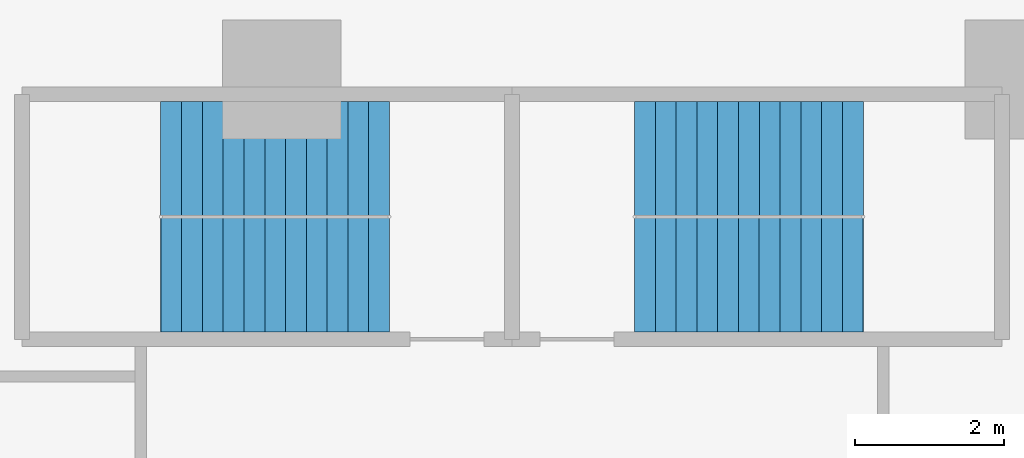
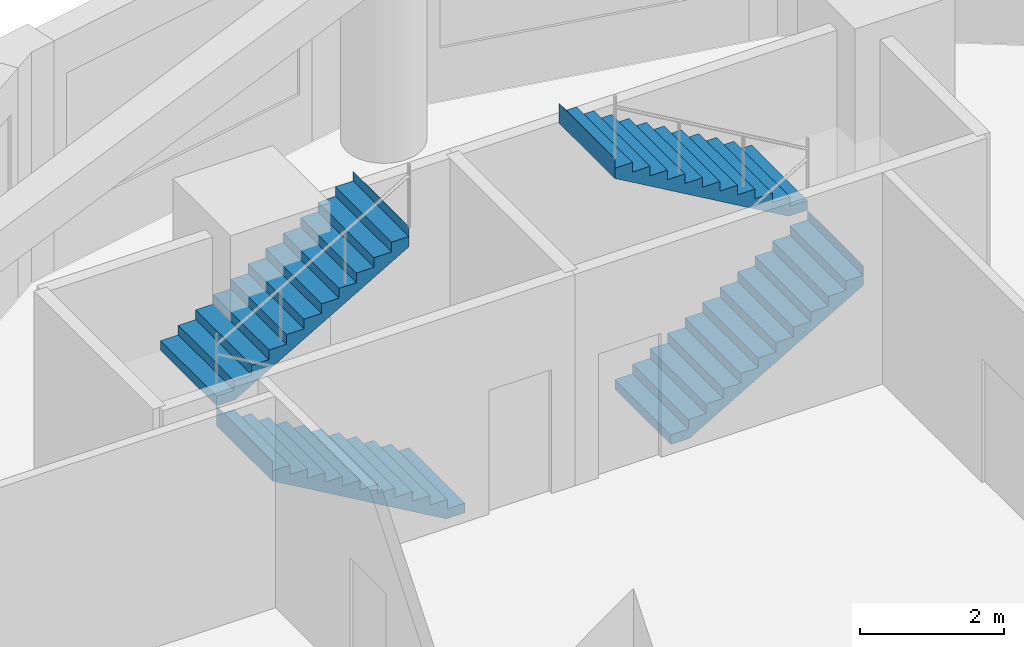
# One storey, part 9 of 11: 4 stair flights, 2 elements without a shape of their own.
"""IFC4 building model written with IfcOpenShell, lengths in metres."""

import ifcopenshell
import ifcopenshell.guid

model = None  # the IFC model being written
_history = None  # IfcOwnerHistory: only IFC2X3 demands one
_inside = {}  # id of a spatial element -> (the spatial element, [elements in it])
_under = {}  # id of a project, library or spatial element -> (it, [spatial elements below it])
_declared = {}  # id of a project -> (the project, [libraries it declares])
_typed = {}  # id of a type object -> (the type object, [elements of that type])
_made_of = {}  # id of a material, layer set ... -> (it, [elements and type objects made of it])


def new_model(schema):
    """Start an empty IFC model of exactly this schema.

    Asked for "IFC4X3", IfcOpenShell would pick the latest addendum, in which some entities
    have other attributes; the version numbers below select the first issue.
    IFC2X3 requires an IfcOwnerHistory on every rooted entity: one is made here for all.
    """
    global model, _history
    if schema == "IFC4X3":
        model = ifcopenshell.file(schema_version=(4, 3, 0, 0))
    else:
        model = ifcopenshell.file(schema=schema)
    _inside.clear()
    _under.clear()
    _declared.clear()
    _typed.clear()
    _made_of.clear()
    _history = None
    if model.schema == "IFC2X3":
        org = make("IfcOrganization", Name="unknown")
        user = make(
            "IfcPersonAndOrganization",
            ThePerson=make("IfcPerson", FamilyName="unknown"),
            TheOrganization=org,
        )
        app = make(
            "IfcApplication",
            ApplicationDeveloper=org,
            Version="unknown",
            ApplicationFullName="unknown",
            ApplicationIdentifier="unknown",
        )
        _history = make(
            "IfcOwnerHistory",
            OwningUser=user,
            OwningApplication=app,
            ChangeAction="ADDED",
            CreationDate=0,
        )
    return model


def make(cls, **values):
    """One entity of the class cls with the attributes given. An attribute that is None is left unset."""
    return model.create_entity(
        cls, **{name: value for name, value in values.items() if value is not None}
    )


def rooted(cls, **values):
    """An entity with a GlobalId (a new one), such as an element, a storey or a relation."""
    return make(cls, GlobalId=ifcopenshell.guid.new(), OwnerHistory=_history, **values)


def si_unit(unit_type, name, prefix=None):
    """IfcSIUnit, for example si_unit("LENGTHUNIT", "METRE", prefix="MILLI")."""
    return make("IfcSIUnit", UnitType=unit_type, Prefix=prefix, Name=name)


def assignment(units):
    """IfcUnitAssignment: the units of a project."""
    return None if units is None else make("IfcUnitAssignment", Units=units)


def point(xyz):
    """IfcCartesianPoint."""
    return None if xyz is None else make("IfcCartesianPoint", Coordinates=xyz)


def direction(xyz):
    """IfcDirection."""
    return None if xyz is None else make("IfcDirection", DirectionRatios=xyz)


def frame(location, z_axis=None, x_axis=None):
    """IfcAxis2Placement3D, a coordinate frame: its origin and axes. An axis left out is left unset."""
    return make(
        "IfcAxis2Placement3D",
        Location=point(location),
        Axis=direction(z_axis),
        RefDirection=direction(x_axis),
    )


def origin():
    """The frame at (0, 0, 0) with its axes left unset."""
    return frame((0.0, 0.0, 0.0))


def place(relative_to, where):
    """IfcLocalPlacement: puts the frame where relative to a parent placement (None: the world)."""
    return make(
        "IfcLocalPlacement", PlacementRelTo=relative_to, RelativePlacement=where
    )


def context(
    kind, dimensions, precision=None, world=None, true_north=None, identifier=None
):
    """IfcGeometricRepresentationContext, for example the 3D "Model" context."""
    return make(
        "IfcGeometricRepresentationContext",
        ContextIdentifier=identifier,
        ContextType=kind,
        CoordinateSpaceDimension=dimensions,
        Precision=precision,
        WorldCoordinateSystem=world,
        TrueNorth=true_north,
    )


def subcontext(parent, identifier, kind, view, scale=None):
    """IfcGeometricRepresentationSubContext, for example "Body" below "Model"."""
    return make(
        "IfcGeometricRepresentationSubContext",
        ContextIdentifier=identifier,
        ContextType=kind,
        ParentContext=parent,
        TargetScale=scale,
        TargetView=view,
    )


def project(units=None, contexts=None):
    """IfcProject with its units and contexts."""
    return rooted(
        "IfcProject",
        Name="project",
        RepresentationContexts=contexts,
        UnitsInContext=assignment(units),
    )


def spatial(cls, under=None, at=None, **own):
    """A site, building, storey or space (cls), placed at a placement, below another one or the project."""
    s = rooted(cls, ObjectPlacement=at, **own)
    if under is not None:
        _under.setdefault(under.id(), (under, []))[1].append(s)
    return s


def polyline(points):
    """IfcPolyline through the points."""
    return make("IfcPolyline", Points=[point(p) for p in points])


def outline(outer, holes=None, kind="AREA"):
    """IfcArbitraryClosedProfileDef: a profile drawn as a closed curve; with holes, ...WithVoids."""
    if holes is None:
        return make("IfcArbitraryClosedProfileDef", ProfileType=kind, OuterCurve=outer)
    return make(
        "IfcArbitraryProfileDefWithVoids",
        ProfileType=kind,
        OuterCurve=outer,
        InnerCurves=holes,
    )


def extrude(swept, where, along, depth):
    """IfcExtrudedAreaSolid: the profile swept, set in the frame where, extruded along a direction by depth."""
    return make(
        "IfcExtrudedAreaSolid",
        SweptArea=swept,
        Position=where,
        ExtrudedDirection=direction(along),
        Depth=depth,
    )


def shape(context_of_items, identifier, shape_type, items):
    """IfcShapeRepresentation: the items that make up one representation, for example the "Body"."""
    return make(
        "IfcShapeRepresentation",
        ContextOfItems=context_of_items,
        RepresentationIdentifier=identifier,
        RepresentationType=shape_type,
        Items=items,
    )


def material(Name=None, Category=None):
    """IfcMaterial."""
    return make("IfcMaterial", Name=Name, Category=Category)


def made_of(thing, what):
    """Note that an element or type object is made of a material, layer set ...; save() writes the relation."""
    if what is not None:
        _made_of.setdefault(what.id(), (what, []))[1].append(thing)
    return thing


def type_object(cls, material=None, **own):
    """A type object (cls), such as IfcWallType, which elements share."""
    return made_of(rooted(cls, **own), material)


def element(
    cls,
    number,
    at=None,
    inside=None,
    cuts=None,
    type_object=None,
    material=None,
    context=None,
    identifier="Body",
    shape_type=None,
    held_by="IfcProductDefinitionShape",
    body=None,
    shapes=None,
    **own,
):
    """One element of the class cls, such as IfcWall. Its Tag is "e" and its number.

    at: its placement. inside: the storey or other place that contains it. cuts: it is an
    opening in that element (IfcRelVoidsElement). A single representation is given by context,
    identifier, shape_type and body (its items); several are given by shapes. held_by: the class
    of the entity that holds the representations. save() writes the other relations.
    """
    e = rooted(cls, Tag="e%d" % number, ObjectPlacement=at, **own)
    if body is not None:
        shapes = [shape(context, identifier, shape_type, body)]
    if shapes is not None:
        e.Representation = make(held_by, Representations=shapes)
    if inside is not None:
        _inside.setdefault(inside.id(), (inside, []))[1].append(e)
    if cuts is not None:
        rooted(
            "IfcRelVoidsElement", RelatingBuildingElement=cuts, RelatedOpeningElement=e
        )
    if type_object is not None:
        _typed.setdefault(type_object.id(), (type_object, []))[1].append(e)
    return made_of(e, material)


def aggregate(whole, parts):
    """IfcRelAggregates: a whole, such as a stair, and the parts it consists of."""
    return rooted("IfcRelAggregates", RelatingObject=whole, RelatedObjects=parts)


def save(model, path):
    """Write the relations noted so far, then the file.

    IfcRelAggregates (storeys below a building ...), IfcRelContainedInSpatialStructure (elements
    in a storey), IfcRelDefinesByType, IfcRelAssociatesMaterial and IfcRelDeclares: one each for
    every whole, place, type object, material and project.
    """
    for whole, parts in _under.values():
        aggregate(whole, parts)
    for where, things in _inside.values():
        rooted(
            "IfcRelContainedInSpatialStructure",
            RelatedElements=things,
            RelatingStructure=where,
        )
    for kind, things in _typed.values():
        rooted("IfcRelDefinesByType", RelatedObjects=things, RelatingType=kind)
    for what, things in _made_of.values():
        rooted("IfcRelAssociatesMaterial", RelatedObjects=things, RelatingMaterial=what)
    for by, libraries in _declared.values():
        rooted("IfcRelDeclares", RelatingContext=by, RelatedDefinitions=libraries)
    model.write(path)


model = new_model("IFC4")

# Units and contexts
model_context = context("Model", 3, precision=1e-05, world=origin(), true_north=direction((0.0, 1.0)))
body_context = subcontext(model_context, "Body", "Model", "MODEL_VIEW")
ifc_project = project(units=[si_unit("LENGTHUNIT", "METRE"), si_unit("AREAUNIT", "SQUARE_METRE"), si_unit("VOLUMEUNIT", "CUBIC_METRE"), si_unit("PLANEANGLEUNIT", "RADIAN"), si_unit("MASSUNIT", "GRAM", prefix="KILO")], contexts=[model_context])

# Site, building, storey
site_placement = place(None, origin())
site = spatial("IfcSite", under=ifc_project, at=site_placement, CompositionType="ELEMENT")
building_placement = place(site_placement, origin())
building = spatial("IfcBuilding", under=site, at=building_placement, Name="Qaws Garden Tower", CompositionType="ELEMENT")
storey_placement = place(building_placement, frame((0.0, 0.0, 82.199951171875)))
storey = spatial("IfcBuildingStorey", under=building, at=storey_placement, Name="L20", CompositionType="ELEMENT", Elevation=82.199951171875)

# Stair, stair flights
ifc_material_1 = material(Name="Concrete C40", Category="concrete")
stair_type = type_object("IfcStairType", Name="Exit stair 1350", PredefinedType="HALF_TURN_STAIR", material=ifc_material_1)
placement = place(storey_placement, origin())
stair_1 = element("IfcStair", 1, at=placement, inside=storey, type_object=stair_type, Name="Stair 6", PredefinedType="HALF_TURN_STAIR")
ifc_material_2 = material(Name="Concrete C40", Category="concrete")
stair_flight_type = type_object("IfcStairFlightType", Name="Stair flight 1350", PredefinedType="STRAIGHT", material=ifc_material_2)
stair_flight_1_placement = place(storey_placement, frame((11.449951171875, 67.375, 0.0), z_axis=(0.0, 0.0, 1.0), x_axis=(-1.0, 0.0, 0.0)))
stair_flight_1 = element("IfcStairFlight", 2, at=stair_flight_1_placement, type_object=stair_flight_type, Name="ST6 flight 1", NumberOfRisers=12, NumberOfTreads=11, PredefinedType="STRAIGHT", RiserHeight=0.1625, TreadLength=0.28, context=body_context, shape_type="SweptSolid", body=[
    extrude(outline(polyline([(-0.0029296875, 0.0), (-0.0029296875, 0.16259765625), (0.0, 0.16259765625), (0.280029296875, 0.16259765625), (0.280029296875, 0.324951171875), (0.56005859375, 0.324951171875), (0.56005859375, 0.487548828125), (0.840087890625, 0.487548828125), (0.840087890625, 0.64990234375), (1.1201171875, 0.64990234375), (1.1201171875, 0.8125), (1.39990234375, 0.8125), (1.39990234375, 0.97509765625), (1.679931640625, 0.97509765625), (1.679931640625, 1.137451171875), (1.9599609375, 1.137451171875), (1.9599609375, 1.300048828125), (2.239990234375, 1.300048828125), (2.239990234375, 1.46240234375), (2.52001953125, 1.46240234375), (2.52001953125, 1.625), (2.800048828125, 1.625), (2.800048828125, 1.78759765625), (3.080078125, 1.78759765625), (3.080078125, 1.949951171875), (3.0830078125, 1.949951171875), (3.0830078125, 1.6142578125), (3.080078125, 1.6142578125), (0.298583984375, 0.0), (-0.0029296875, 0.0)])), frame((0.0, 0.77490234375, 0.0), z_axis=(0.0, -1.0, 0.0), x_axis=(1.0, 0.0, 0.0)), (0.0, 0.0, 1.0), 1.550048828125),
])
stair_flight_2_placement = place(storey_placement, frame((8.3701171875, 68.925048828125, 1.949951171875), z_axis=(0.0, 0.0, 1.0), x_axis=(1.0, 0.0, 0.0)))
stair_flight_2 = element("IfcStairFlight", 3, at=stair_flight_2_placement, type_object=stair_flight_type, Name="ST6 flight 2", NumberOfRisers=12, NumberOfTreads=11, PredefinedType="STRAIGHT", RiserHeight=0.1625, TreadLength=0.28, context=body_context, shape_type="SweptSolid", body=[
    extrude(outline(polyline([(-0.0029296875, 0.0), (-0.0029296875, 0.16259765625), (0.0, 0.16259765625), (0.280029296875, 0.16259765625), (0.280029296875, 0.324951171875), (0.56005859375, 0.324951171875), (0.56005859375, 0.487548828125), (0.840087890625, 0.487548828125), (0.840087890625, 0.64990234375), (1.1201171875, 0.64990234375), (1.1201171875, 0.8125), (1.39990234375, 0.8125), (1.39990234375, 0.97509765625), (1.679931640625, 0.97509765625), (1.679931640625, 1.137451171875), (1.9599609375, 1.137451171875), (1.9599609375, 1.300048828125), (2.239990234375, 1.300048828125), (2.239990234375, 1.46240234375), (2.52001953125, 1.46240234375), (2.52001953125, 1.625), (2.800048828125, 1.625), (2.800048828125, 1.78759765625), (3.080078125, 1.78759765625), (3.080078125, 1.949951171875), (3.0830078125, 1.949951171875), (3.0830078125, 1.6142578125), (3.080078125, 1.6142578125), (0.298583984375, 0.0), (-0.0029296875, 0.0)])), frame((0.0, 0.77490234375, 0.0), z_axis=(0.0, -1.0, 0.0), x_axis=(1.0, 0.0, 0.0)), (0.0, 0.0, 1.0), 1.550048828125),
])
aggregate(stair_1, [stair_flight_1, stair_flight_2])

stair_2 = element("IfcStair", 4, at=placement, inside=storey, type_object=stair_type, Name="Stair 7", PredefinedType="HALF_TURN_STAIR")
stair_flight_3_placement = place(storey_placement, frame((14.75, 67.375, 0.0), z_axis=(0.0, 0.0, 1.0), x_axis=(1.0, 0.0, 0.0)))
stair_flight_3 = element("IfcStairFlight", 5, at=stair_flight_3_placement, type_object=stair_flight_type, Name="ST7 flight 1", NumberOfRisers=12, NumberOfTreads=11, PredefinedType="STRAIGHT", RiserHeight=0.1625, TreadLength=0.28, context=body_context, shape_type="SweptSolid", body=[
    extrude(outline(polyline([(-0.0029296875, 0.0), (-0.0029296875, 0.16259765625), (0.0, 0.16259765625), (0.280029296875, 0.16259765625), (0.280029296875, 0.324951171875), (0.56005859375, 0.324951171875), (0.56005859375, 0.487548828125), (0.840087890625, 0.487548828125), (0.840087890625, 0.64990234375), (1.1201171875, 0.64990234375), (1.1201171875, 0.8125), (1.39990234375, 0.8125), (1.39990234375, 0.97509765625), (1.679931640625, 0.97509765625), (1.679931640625, 1.137451171875), (1.9599609375, 1.137451171875), (1.9599609375, 1.300048828125), (2.239990234375, 1.300048828125), (2.239990234375, 1.46240234375), (2.52001953125, 1.46240234375), (2.52001953125, 1.625), (2.800048828125, 1.625), (2.800048828125, 1.78759765625), (3.080078125, 1.78759765625), (3.080078125, 1.949951171875), (3.0830078125, 1.949951171875), (3.0830078125, 1.6142578125), (3.080078125, 1.6142578125), (0.298583984375, 0.0), (-0.0029296875, 0.0)])), frame((0.0, 0.77490234375, 0.0), z_axis=(0.0, -1.0, 0.0), x_axis=(1.0, 0.0, 0.0)), (0.0, 0.0, 1.0), 1.550048828125),
])
stair_flight_4_placement = place(storey_placement, frame((17.830078125, 68.925048828125, 1.949951171875), z_axis=(0.0, 0.0, 1.0), x_axis=(-1.0, 0.0, 0.0)))
stair_flight_4 = element("IfcStairFlight", 6, at=stair_flight_4_placement, type_object=stair_flight_type, Name="ST7 flight 2", NumberOfRisers=12, NumberOfTreads=11, PredefinedType="STRAIGHT", RiserHeight=0.1625, TreadLength=0.28, context=body_context, shape_type="SweptSolid", body=[
    extrude(outline(polyline([(-0.0029296875, 0.0), (-0.0029296875, 0.16259765625), (0.0, 0.16259765625), (0.280029296875, 0.16259765625), (0.280029296875, 0.324951171875), (0.56005859375, 0.324951171875), (0.56005859375, 0.487548828125), (0.840087890625, 0.487548828125), (0.840087890625, 0.64990234375), (1.1201171875, 0.64990234375), (1.1201171875, 0.8125), (1.39990234375, 0.8125), (1.39990234375, 0.97509765625), (1.679931640625, 0.97509765625), (1.679931640625, 1.137451171875), (1.9599609375, 1.137451171875), (1.9599609375, 1.300048828125), (2.239990234375, 1.300048828125), (2.239990234375, 1.46240234375), (2.52001953125, 1.46240234375), (2.52001953125, 1.625), (2.800048828125, 1.625), (2.800048828125, 1.78759765625), (3.080078125, 1.78759765625), (3.080078125, 1.949951171875), (3.0830078125, 1.949951171875), (3.0830078125, 1.6142578125), (3.080078125, 1.6142578125), (0.298583984375, 0.0), (-0.0029296875, 0.0)])), frame((0.0, 0.77490234375, 0.0), z_axis=(0.0, -1.0, 0.0), x_axis=(1.0, 0.0, 0.0)), (0.0, 0.0, 1.0), 1.550048828125),
])
aggregate(stair_2, [stair_flight_3, stair_flight_4])

save(model, "model.ifc")
